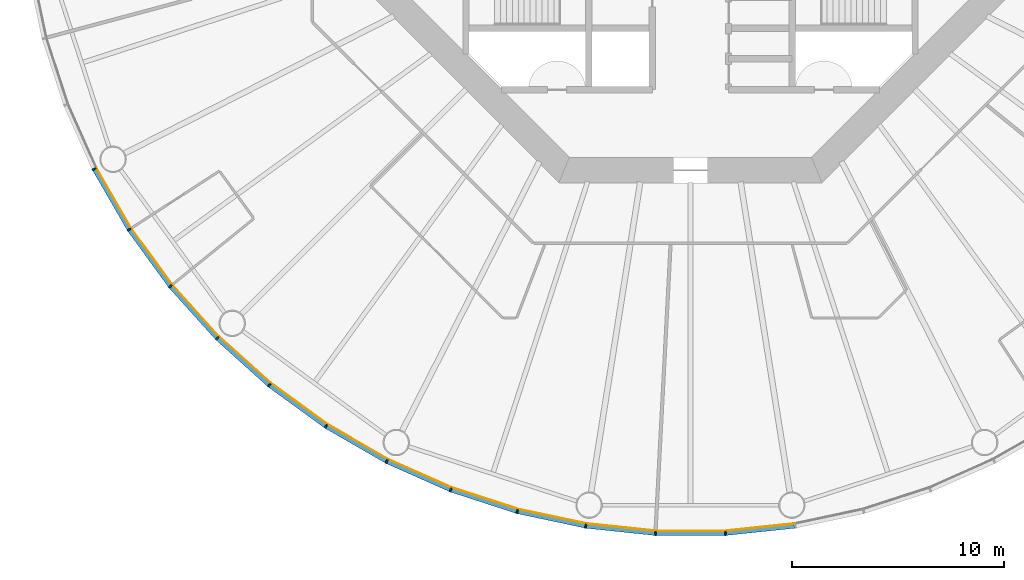
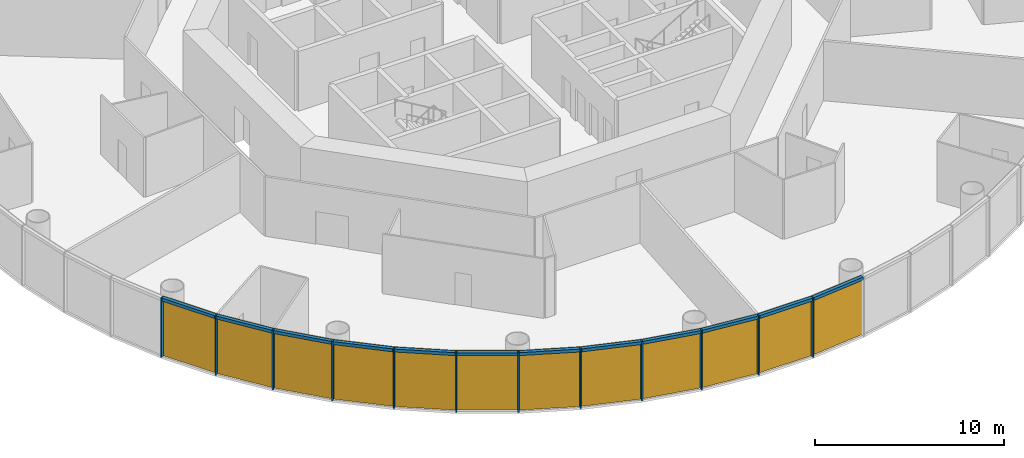
# One storey, part 7 of 13: 24 members, 4 curtain walls.
"""IFC4 building model written with IfcOpenShell, lengths in metres."""

from ifc_helpers import new_model, si_unit, direction, frame, origin, origin_2d, place, context, subcontext, project, spatial, polyline, rectangle, outline, extrude, material, layer, layer_set, material_profile, profile_set, type_object, element, aggregate, save


model = new_model("IFC4")

# Units and contexts
model_context = context("Model", 3, precision=1e-05, world=origin(), true_north=direction((0.0, 1.0)))
body_context = subcontext(model_context, "Body", "Model", "MODEL_VIEW")
ifc_project = project(units=[si_unit("LENGTHUNIT", "METRE"), si_unit("AREAUNIT", "SQUARE_METRE"), si_unit("VOLUMEUNIT", "CUBIC_METRE"), si_unit("PLANEANGLEUNIT", "RADIAN"), si_unit("MASSUNIT", "GRAM", prefix="KILO")], contexts=[model_context])

# Member
ifc_material_1 = material(Name="Anodised aluminium", Category="aluminium")
ifc_material_profile_1 = material_profile(ifc_material_1, rectangle(XDim=0.070068359375, YDim=0.199951171875, at=origin_2d()), Name="Mullion 70 x 200 mm anodised aluminium")
ifc_profile_set_1 = profile_set([ifc_material_profile_1], Name="Anodised aluminium")
member_type_1 = type_object("IfcMemberType", Name="Mullion 70 x 200 mm anodised aluminium", PredefinedType="MULLION", material=ifc_profile_set_1)
site_placement = place(None, origin())
building_placement = place(site_placement, origin())
storey_placement = place(building_placement, frame((0.0, 0.0, 88.0)))
member_1_placement = place(storey_placement, frame((61.84423828125, 65.65380859375, 0.0), z_axis=(0.0, 0.0, 1.0), x_axis=(0.45399049974, -0.891006524188, 0.0)))
member_1 = element("IfcMember", 1, at=member_1_placement, type_object=member_type_1, Name="MULLION L19-33", PredefinedType="MULLION", context=body_context, shape_type="SweptSolid", body=[
    extrude(rectangle(XDim=0.070068359375, YDim=0.199951171875, at=origin_2d()), origin(), (0.0, 0.0, 1.0), 3.85009765625),
])

member_2_placement = place(storey_placement, frame((63.498046875, 62.789306640625, 0.0), z_axis=(0.0, 0.0, 1.0), x_axis=(0.544639035015, -0.838670567945, 0.0)))
member_2 = element("IfcMember", 2, at=member_2_placement, type_object=member_type_1, Name="MULLION L19-34", PredefinedType="MULLION", context=body_context, shape_type="SweptSolid", body=[
    extrude(rectangle(XDim=0.070068359375, YDim=0.199951171875, at=origin_2d()), origin(), (0.0, 0.0, 1.0), 3.85009765625),
])

member_3_placement = place(storey_placement, frame((65.442138671875, 60.113525390625, 0.0), z_axis=(0.0, 0.0, 1.0), x_axis=(0.62932039105, -0.777145961457, 0.0)))
member_3 = element("IfcMember", 3, at=member_3_placement, type_object=member_type_1, Name="MULLION L19-35", PredefinedType="MULLION", context=body_context, shape_type="SweptSolid", body=[
    extrude(rectangle(XDim=0.070068359375, YDim=0.199951171875, at=origin_2d()), origin(), (0.0, 0.0, 1.0), 3.85009765625),
])

member_4_placement = place(storey_placement, frame((67.655517578125, 57.655517578125, 0.0), z_axis=(0.0, 0.0, 1.0), x_axis=(0.707106781187, -0.707106781187, 0.0)))
member_4 = element("IfcMember", 4, at=member_4_placement, type_object=member_type_1, Name="MULLION L19-36", PredefinedType="MULLION", context=body_context, shape_type="SweptSolid", body=[
    extrude(rectangle(XDim=0.070068359375, YDim=0.199951171875, at=origin_2d()), origin(), (0.0, 0.0, 1.0), 3.85009765625),
])

member_5_placement = place(storey_placement, frame((70.113525390625, 55.442138671875, 0.0), z_axis=(0.0, 0.0, 1.0), x_axis=(0.777145961457, -0.62932039105, 0.0)))
member_5 = element("IfcMember", 5, at=member_5_placement, type_object=member_type_1, Name="MULLION L19-37", PredefinedType="MULLION", context=body_context, shape_type="SweptSolid", body=[
    extrude(rectangle(XDim=0.070068359375, YDim=0.199951171875, at=origin_2d()), origin(), (0.0, 0.0, 1.0), 3.85009765625),
])

member_6_placement = place(storey_placement, frame((72.789306640625, 53.498046875, 0.0), z_axis=(0.0, 0.0, 1.0), x_axis=(0.838670567945, -0.544639035015, 0.0)))
member_6 = element("IfcMember", 6, at=member_6_placement, type_object=member_type_1, Name="MULLION L19-38", PredefinedType="MULLION", context=body_context, shape_type="SweptSolid", body=[
    extrude(rectangle(XDim=0.070068359375, YDim=0.199951171875, at=origin_2d()), origin(), (0.0, 0.0, 1.0), 3.85009765625),
])

member_7_placement = place(storey_placement, frame((75.65380859375, 51.84423828125, 0.0), z_axis=(0.0, 0.0, 1.0), x_axis=(0.891006524188, -0.45399049974, 0.0)))
member_7 = element("IfcMember", 7, at=member_7_placement, type_object=member_type_1, Name="MULLION L19-39", PredefinedType="MULLION", context=body_context, shape_type="SweptSolid", body=[
    extrude(rectangle(XDim=0.070068359375, YDim=0.199951171875, at=origin_2d()), origin(), (0.0, 0.0, 1.0), 3.85009765625),
])

member_8_placement = place(storey_placement, frame((78.675537109375, 50.498779296875, 0.0), z_axis=(0.0, 0.0, 1.0), x_axis=(0.933580426497, -0.358367949545, 0.0)))
member_8 = element("IfcMember", 8, at=member_8_placement, type_object=member_type_1, Name="MULLION L19-40", PredefinedType="MULLION", context=body_context, shape_type="SweptSolid", body=[
    extrude(rectangle(XDim=0.070068359375, YDim=0.199951171875, at=origin_2d()), origin(), (0.0, 0.0, 1.0), 3.85009765625),
])

member_9_placement = place(storey_placement, frame((81.8212890625, 49.476806640625, 0.0), z_axis=(0.0, 0.0, 1.0), x_axis=(0.965925826289, -0.258819045103, 0.0)))
member_9 = element("IfcMember", 9, at=member_9_placement, type_object=member_type_1, Name="MULLION L19-41", PredefinedType="MULLION", context=body_context, shape_type="SweptSolid", body=[
    extrude(rectangle(XDim=0.070068359375, YDim=0.199951171875, at=origin_2d()), origin(), (0.0, 0.0, 1.0), 3.85009765625),
])

member_10_placement = place(storey_placement, frame((85.056640625, 48.7890625, 0.0), z_axis=(0.0, 0.0, 1.0), x_axis=(0.987688340595, -0.15643446504, 0.0)))
member_10 = element("IfcMember", 10, at=member_10_placement, type_object=member_type_1, Name="MULLION L19-42", PredefinedType="MULLION", context=body_context, shape_type="SweptSolid", body=[
    extrude(rectangle(XDim=0.070068359375, YDim=0.199951171875, at=origin_2d()), origin(), (0.0, 0.0, 1.0), 3.85009765625),
])

member_11_placement = place(storey_placement, frame((88.34619140625, 48.443359375, 0.0), z_axis=(0.0, 0.0, 1.0), x_axis=(0.998629534755, -0.052335956243, 0.0)))
member_11 = element("IfcMember", 11, at=member_11_placement, type_object=member_type_1, Name="MULLION L19-43", PredefinedType="MULLION", context=body_context, shape_type="SweptSolid", body=[
    extrude(rectangle(XDim=0.070068359375, YDim=0.199951171875, at=origin_2d()), origin(), (0.0, 0.0, 1.0), 3.85009765625),
])

member_12_placement = place(storey_placement, frame((91.65380859375, 48.443359375, 0.0), z_axis=(0.0, 0.0, 1.0), x_axis=(0.998629534755, 0.052335956243, 0.0)))
member_12 = element("IfcMember", 12, at=member_12_placement, type_object=member_type_1, Name="MULLION L19-44", PredefinedType="MULLION", context=body_context, shape_type="SweptSolid", body=[
    extrude(rectangle(XDim=0.070068359375, YDim=0.199951171875, at=origin_2d()), origin(), (0.0, 0.0, 1.0), 3.85009765625),
])

ifc_material_2 = material(Name="Anodised aluminium", Category="aluminium")
ifc_material_profile_2 = material_profile(ifc_material_2, rectangle(XDim=0.199951171875, YDim=0.18994140625, at=origin_2d()), Name="Transom 190 x 200 mm anodised aluminium")
ifc_profile_set_2 = profile_set([ifc_material_profile_2], Name="Anodised aluminium")
member_type_2 = type_object("IfcMemberType", Name="Transom 190 x 200 mm anodised aluminium", PredefinedType="USERDEFINED", material=ifc_profile_set_2)
member_13_placement = place(storey_placement, frame((61.8642578125, 65.618896484375, 3.7548828125), z_axis=(0.500004055213, -0.866023062494, 0.0), x_axis=(0.866023062494, 0.500004055213, 0.0)))
member_13 = element("IfcMember", 13, at=member_13_placement, type_object=member_type_2, Name="TRANSOM L19-33", ObjectType="TRANSOM", PredefinedType="USERDEFINED", context=body_context, shape_type="SweptSolid", body=[
    extrude(rectangle(XDim=0.199951171875, YDim=0.18994140625, at=origin_2d()), origin(), (0.0, 0.0, 1.0), 3.22705078125),
])

member_14_placement = place(storey_placement, frame((63.521484375, 62.7568359375, 3.7548828125), z_axis=(0.587802790201, -0.809004252048, 0.0), x_axis=(0.809004252048, 0.587802790201, 0.0)))
member_14 = element("IfcMember", 14, at=member_14_placement, type_object=member_type_2, Name="TRANSOM L19-34", ObjectType="TRANSOM", PredefinedType="USERDEFINED", context=body_context, shape_type="SweptSolid", body=[
    extrude(rectangle(XDim=0.199951171875, YDim=0.18994140625, at=origin_2d()), origin(), (0.0, 0.0, 1.0), 3.227294921875),
])

member_15_placement = place(storey_placement, frame((65.468994140625, 60.08349609375, 3.7548828125), z_axis=(0.669144438484, -0.743132370743, 0.0), x_axis=(0.743132370743, 0.669144438484, 0.0)))
member_15 = element("IfcMember", 15, at=member_15_placement, type_object=member_type_2, Name="TRANSOM L19-35", ObjectType="TRANSOM", PredefinedType="USERDEFINED", context=body_context, shape_type="SweptSolid", body=[
    extrude(rectangle(XDim=0.199951171875, YDim=0.18994140625, at=origin_2d()), origin(), (0.0, 0.0, 1.0), 3.22705078125),
])

member_16_placement = place(storey_placement, frame((67.685302734375, 57.62841796875, 3.7548828125), z_axis=(0.743132370743, -0.669144438484, 0.0), x_axis=(0.669144438484, 0.743132370743, 0.0)))
member_16 = element("IfcMember", 16, at=member_16_placement, type_object=member_type_2, Name="TRANSOM L19-36", ObjectType="TRANSOM", PredefinedType="USERDEFINED", context=body_context, shape_type="SweptSolid", body=[
    extrude(rectangle(XDim=0.199951171875, YDim=0.18994140625, at=origin_2d()), origin(), (0.0, 0.0, 1.0), 3.22705078125),
])

member_17_placement = place(storey_placement, frame((70.14599609375, 55.41845703125, 3.7548828125), z_axis=(0.809004252048, -0.587802790201, 0.0), x_axis=(0.587802790201, 0.809004252048, 0.0)))
member_17 = element("IfcMember", 17, at=member_17_placement, type_object=member_type_2, Name="TRANSOM L19-37", ObjectType="TRANSOM", PredefinedType="USERDEFINED", context=body_context, shape_type="SweptSolid", body=[
    extrude(rectangle(XDim=0.199951171875, YDim=0.18994140625, at=origin_2d()), origin(), (0.0, 0.0, 1.0), 3.227294921875),
])

member_18_placement = place(storey_placement, frame((72.82421875, 53.477783203125, 3.7548828125), z_axis=(0.866023062494, -0.500004055213, 0.0), x_axis=(0.500004055213, 0.866023062494, 0.0)))
member_18 = element("IfcMember", 18, at=member_18_placement, type_object=member_type_2, Name="TRANSOM L19-38", ObjectType="TRANSOM", PredefinedType="USERDEFINED", context=body_context, shape_type="SweptSolid", body=[
    extrude(rectangle(XDim=0.199951171875, YDim=0.18994140625, at=origin_2d()), origin(), (0.0, 0.0, 1.0), 3.22705078125),
])

member_19_placement = place(storey_placement, frame((75.690673828125, 51.82763671875, 3.7548828125), z_axis=(0.913549291349, -0.406728032322, 0.0), x_axis=(0.406728032322, 0.913549291349, 0.0)))
member_19 = element("IfcMember", 19, at=member_19_placement, type_object=member_type_2, Name="TRANSOM L19-39", ObjectType="TRANSOM", PredefinedType="USERDEFINED", context=body_context, shape_type="SweptSolid", body=[
    extrude(rectangle(XDim=0.199951171875, YDim=0.18994140625, at=origin_2d()), origin(), (0.0, 0.0, 1.0), 3.22705078125),
])

member_20_placement = place(storey_placement, frame((78.7138671875, 50.486328125, 3.7548828125), z_axis=(0.951046855117, -0.309046726844, 0.0), x_axis=(0.309046726844, 0.951046855117, 0.0)))
member_20 = element("IfcMember", 20, at=member_20_placement, type_object=member_type_2, Name="TRANSOM L19-40", ObjectType="TRANSOM", PredefinedType="USERDEFINED", context=body_context, shape_type="SweptSolid", body=[
    extrude(rectangle(XDim=0.199951171875, YDim=0.18994140625, at=origin_2d()), origin(), (0.0, 0.0, 1.0), 3.22705078125),
])

member_21_placement = place(storey_placement, frame((81.860595703125, 49.46826171875, 3.7548828125), z_axis=(0.978153082647, -0.207885898771, 0.0), x_axis=(0.207885898771, 0.978153082647, 0.0)))
member_21 = element("IfcMember", 21, at=member_21_placement, type_object=member_type_2, Name="TRANSOM L19-41", ObjectType="TRANSOM", PredefinedType="USERDEFINED", context=body_context, shape_type="SweptSolid", body=[
    extrude(rectangle(XDim=0.199951171875, YDim=0.18994140625, at=origin_2d()), origin(), (0.0, 0.0, 1.0), 3.227294921875),
])

member_22_placement = place(storey_placement, frame((85.0966796875, 48.78466796875, 3.7548828125), z_axis=(0.994519537956, -0.104550890115, 0.0), x_axis=(0.104550890115, 0.994519537956, 0.0)))
member_22 = element("IfcMember", 22, at=member_22_placement, type_object=member_type_2, Name="TRANSOM L19-42", ObjectType="TRANSOM", PredefinedType="USERDEFINED", context=body_context, shape_type="SweptSolid", body=[
    extrude(rectangle(XDim=0.199951171875, YDim=0.18994140625, at=origin_2d()), origin(), (0.0, 0.0, 1.0), 3.22705078125),
])

member_23_placement = place(storey_placement, frame((88.386474609375, 48.443115234375, 3.7548828125), z_axis=(1.0, 0.0, 0.0), x_axis=(0.0, 1.0, 0.0)))
member_23 = element("IfcMember", 23, at=member_23_placement, type_object=member_type_2, Name="TRANSOM L19-43", ObjectType="TRANSOM", PredefinedType="USERDEFINED", context=body_context, shape_type="SweptSolid", body=[
    extrude(rectangle(XDim=0.199951171875, YDim=0.18994140625, at=origin_2d()), origin(), (0.0, 0.0, 1.0), 3.22705078125),
])

member_24_placement = place(storey_placement, frame((91.69384765625, 48.447265625, 3.7548828125), z_axis=(0.994519537956, 0.104550890115, 0.0), x_axis=(-0.104550890115, 0.994519537956, 0.0)))
member_24 = element("IfcMember", 24, at=member_24_placement, type_object=member_type_2, Name="TRANSOM L19-44", ObjectType="TRANSOM", PredefinedType="USERDEFINED", context=body_context, shape_type="SweptSolid", body=[
    extrude(rectangle(XDim=0.199951171875, YDim=0.18994140625, at=origin_2d()), origin(), (0.0, 0.0, 1.0), 3.22705078125),
])

# Site, building, storey
site = spatial("IfcSite", under=ifc_project, at=site_placement, CompositionType="ELEMENT")
building = spatial("IfcBuilding", under=site, at=building_placement, Name="Entoto Ring Tower", CompositionType="ELEMENT")
storey = spatial("IfcBuildingStorey", under=building, at=storey_placement, Name="L19", CompositionType="ELEMENT", Elevation=88.0)

# Curtain wall
ifc_material_3 = material(Name="Clear low-iron glass", Category="glass")
ifc_layer = layer(ifc_material_3, 0.035888671875)
ifc_layer_set = layer_set([ifc_layer], Name="Clear low-iron glass")
curtain_wall_type = type_object("IfcCurtainWallType", Name="Curtain wall system CW2 glazing 36 mm", PredefinedType="NOTDEFINED", material=ifc_layer_set)
curtain_wall_1_placement = place(storey_placement, origin())
curtain_wall_1 = element("IfcCurtainWall", 25, at=curtain_wall_1_placement, inside=storey, type_object=curtain_wall_type, Name="CW2 L19-12", PredefinedType="NOTDEFINED", context=body_context, shape_type="SweptSolid", body=[
    extrude(outline(polyline([(61.933349609375, 65.69921875), (63.581787109375, 62.84375), (65.52001953125, 60.176513671875), (67.72607421875, 57.72607421875), (67.751708984375, 57.751708984375), (65.5478515625, 60.198974609375), (63.612060546875, 62.863525390625), (61.96533203125, 65.715576171875), (61.933349609375, 65.69921875)])), origin(), (0.0, 0.0, 1.0), 3.85009765625),
])

aggregate(curtain_wall_1, [member_1, member_2, member_3, member_13, member_14, member_15])

curtain_wall_2_placement = place(storey_placement, origin())
curtain_wall_2 = element("IfcCurtainWall", 26, at=curtain_wall_2_placement, inside=storey, type_object=curtain_wall_type, Name="CW2 L19-13", PredefinedType="NOTDEFINED", context=body_context, shape_type="SweptSolid", body=[
    extrude(outline(polyline([(67.72607421875, 57.72607421875), (70.176513671875, 55.52001953125), (72.84375, 53.581787109375), (75.69921875, 51.933349609375), (75.715576171875, 51.96533203125), (72.863525390625, 53.612060546875), (70.198974609375, 55.5478515625), (67.751708984375, 57.751708984375), (67.72607421875, 57.72607421875)])), origin(), (0.0, 0.0, 1.0), 3.85009765625),
])

aggregate(curtain_wall_2, [member_4, member_5, member_6, member_16, member_17, member_18])

curtain_wall_3_placement = place(storey_placement, origin())
curtain_wall_3 = element("IfcCurtainWall", 27, at=curtain_wall_3_placement, inside=storey, type_object=curtain_wall_type, Name="CW2 L19-14", PredefinedType="NOTDEFINED", context=body_context, shape_type="SweptSolid", body=[
    extrude(outline(polyline([(75.69921875, 51.933349609375), (78.71142578125, 50.59228515625), (81.84716796875, 49.5732421875), (85.072265625, 48.8876953125), (85.077880859375, 48.92333984375), (81.8564453125, 49.608154296875), (78.724365234375, 50.6259765625), (75.715576171875, 51.96533203125), (75.69921875, 51.933349609375)])), origin(), (0.0, 0.0, 1.0), 3.85009765625),
])

aggregate(curtain_wall_3, [member_7, member_8, member_9, member_19, member_20, member_21])

curtain_wall_4_placement = place(storey_placement, origin())
curtain_wall_4 = element("IfcCurtainWall", 28, at=curtain_wall_4_placement, inside=storey, type_object=curtain_wall_type, Name="CW2 L19-15", PredefinedType="NOTDEFINED", context=body_context, shape_type="SweptSolid", body=[
    extrude(outline(polyline([(85.072265625, 48.8876953125), (88.351318359375, 48.543212890625), (91.648681640625, 48.543212890625), (94.927734375, 48.8876953125), (94.922119140625, 48.92333984375), (91.646728515625, 48.5791015625), (88.353271484375, 48.5791015625), (85.077880859375, 48.92333984375), (85.072265625, 48.8876953125)])), origin(), (0.0, 0.0, 1.0), 3.85009765625),
])

aggregate(curtain_wall_4, [member_10, member_11, member_12, member_22, member_23, member_24])

save(model, "model.ifc")
